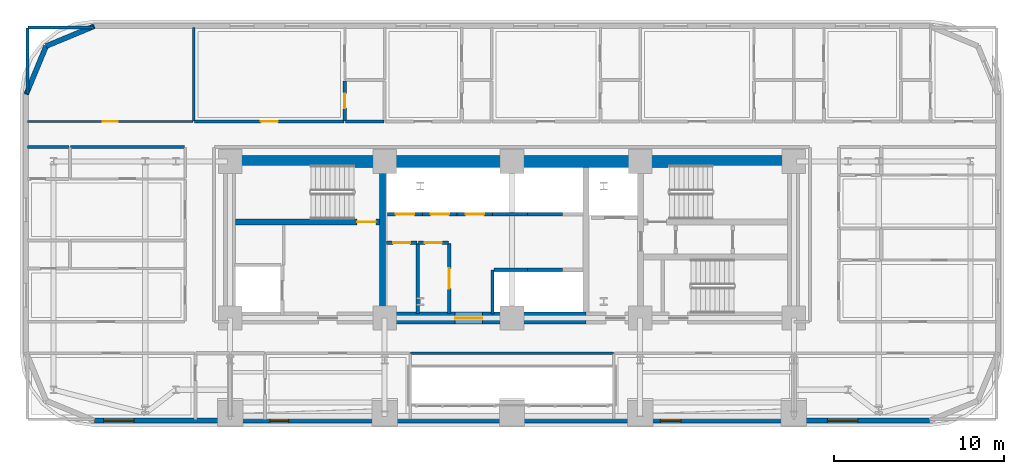
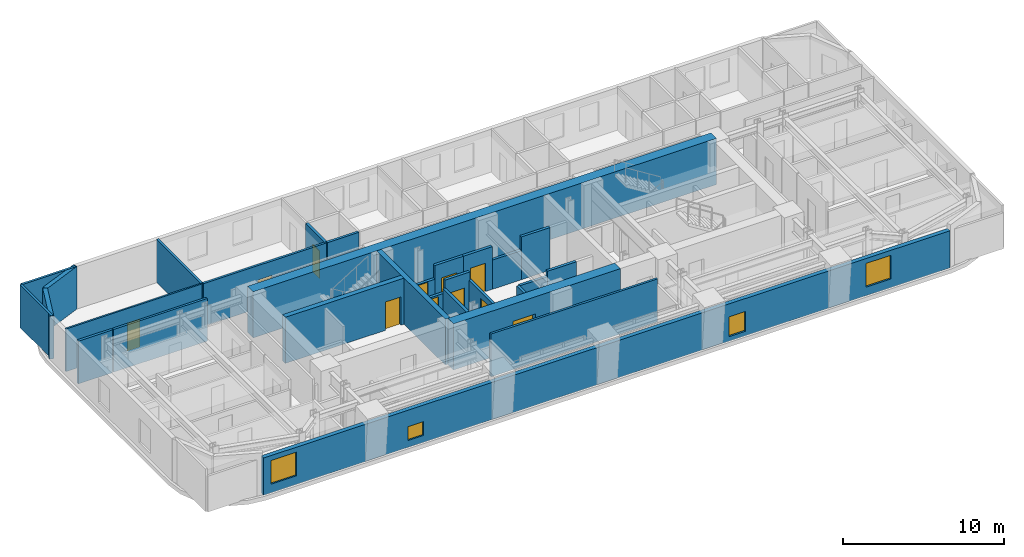
# One storey, part 8 of 15: 29 walls, 11 doors, 4 windows, 15 openings.
"""IFC4 building model written with IfcOpenShell, lengths in metres."""

from ifc_helpers import new_model, si_unit, direction, frame, frame_2d, origin, place, context, subcontext, project, spatial, rectangle, extrude, material, layer, layer_set, type_object, element, fill, save


model = new_model("IFC4")

# Units and contexts
model_context = context("Model", 3, precision=1e-05, world=origin(), true_north=direction((0.0, 1.0)))
body_context = subcontext(model_context, "Body", "Model", "MODEL_VIEW")
ifc_project = project(units=[si_unit("LENGTHUNIT", "METRE"), si_unit("AREAUNIT", "SQUARE_METRE"), si_unit("VOLUMEUNIT", "CUBIC_METRE"), si_unit("PLANEANGLEUNIT", "RADIAN"), si_unit("MASSUNIT", "GRAM", prefix="KILO")], contexts=[model_context])

# Site, building, storey
site_placement = place(None, origin())
site = spatial("IfcSite", under=ifc_project, at=site_placement, CompositionType="ELEMENT")
building_placement = place(site_placement, origin())
building = spatial("IfcBuilding", under=site, at=building_placement, Name="Zarnavel Station Tower", CompositionType="ELEMENT")
storey_placement = place(building_placement, frame((0.0, 0.0, 43.0)))
storey = spatial("IfcBuildingStorey", under=building, at=storey_placement, Name="L11", CompositionType="ELEMENT", Elevation=43.0)

# Wall
ifc_material_1 = material(Name="Concrete C50/60", Category="concrete")
ifc_layer_1 = layer(ifc_material_1, 0.35009765625)
ifc_layer_set_1 = layer_set([ifc_layer_1], Name="CW_350")
wall_type_1 = type_object("IfcWallType", Name="CW_350", PredefinedType="SHEAR", material=ifc_layer_set_1)
wall_1_placement = place(storey_placement, frame((21.179931640625, 28.169921875, 0.0), z_axis=(0.0, 0.0, 1.0), x_axis=(0.0, 1.0, 0.0)))
element("IfcWall", 1, at=wall_1_placement, inside=storey, type_object=wall_type_1, Name="L11 Rear Core Shear Wall DIV-W", PredefinedType="SHEAR", context=body_context, shape_type="SweptSolid", body=[
    extrude(rectangle(XDim=8.530029296875, YDim=0.35009765625, at=frame_2d((4.26513671875, 0.0))), origin(), (0.0, 0.0, 1.0), 3.5),
])

# Wall, opening, door
wall_2_placement = place(storey_placement, frame((21.0048828125, 33.47998046875, 0.0), z_axis=(0.0, 0.0, 1.0), x_axis=(-1.0, 0.0, 0.0)))
wall_2 = element("IfcWall", 2, at=wall_2_placement, inside=storey, type_object=wall_type_1, Name="L11 Rear Core Shear Wall DIV-H1", PredefinedType="SHEAR", context=body_context, shape_type="SweptSolid", body=[
    extrude(rectangle(XDim=8.5048828125, YDim=0.35009765625, at=frame_2d((4.25244140625, 0.0))), origin(), (0.0, 0.0, 1.0), 3.5),
])
opening_1_placement = place(wall_2_placement, frame((0.219970703125, 0.0, 0.0)))
opening_1 = element("IfcOpeningElement", 3, at=opening_1_placement, cuts=wall_2, Name="Opening FD01", PredefinedType="OPENING", context=body_context, shape_type="SweptSolid", body=[
    extrude(rectangle(XDim=1.10009765625, YDim=2.14990234375, at=frame_2d((0.550048828125, 1.074951171875))), frame((0.0, 0.18505859375, 0.0), z_axis=(0.0, -1.0, 0.0), x_axis=(1.0, 0.0, 0.0)), (0.0, 0.0, 1.0), 0.3701171875),
])
ifc_material_2 = material(Name="Painted Galvanised Steel and Hardwood Leaf", Category="steel")
door_type_1 = type_object("IfcDoorType", Name="ID_STAIR_1100", OperationType="NOTDEFINED", PredefinedType="DOOR", material=ifc_material_2)
door_1_placement = place(opening_1_placement, origin())
door_1 = element("IfcDoor", 4, at=door_1_placement, inside=storey, type_object=door_type_1, Name="L11 Stair ST1 Lobby Fire Door", OperationType="SINGLE_SWING_LEFT", OverallHeight=2.14990234375, OverallWidth=1.10009765625, PredefinedType="DOOR", context=body_context, shape_type="SweptSolid", body=[
    extrude(rectangle(XDim=1.10009765625, YDim=2.14990234375, at=frame_2d((0.550048828125, 1.074951171875))), frame((0.0, 0.02490234375, 0.0), z_axis=(0.0, -1.0, 0.0), x_axis=(1.0, 0.0, 0.0)), (0.0, 0.0, 1.0), 0.050048828125),
])
fill(opening_1, door_1)

# Wall
ifc_material_3 = material(Name="Concrete C60/75", Category="concrete")
ifc_layer_2 = layer(ifc_material_3, 0.699951171875)
ifc_layer_set_2 = layer_set([ifc_layer_2], Name="CW_700")
wall_type_2 = type_object("IfcWallType", Name="CW_700", PredefinedType="SHEAR", material=ifc_layer_set_2)
wall_3_placement = place(storey_placement, frame((12.14990234375, 37.050048828125, 0.0), z_axis=(0.0, 0.0, 1.0), x_axis=(1.0, 0.0, 0.0)))
element("IfcWall", 5, at=wall_3_placement, inside=storey, type_object=wall_type_2, Name="L11 Rear Core Shear Wall N", PredefinedType="SHEAR", context=body_context, shape_type="SweptSolid", body=[
    extrude(rectangle(XDim=33.22998046875, YDim=0.699951171875, at=frame_2d((16.614990234375, 0.0))), origin(), (0.0, 0.0, 1.0), 3.5),
])

# Wall, opening, door
wall_4_placement = place(storey_placement, frame((33.14990234375, 27.820068359375, 0.0), z_axis=(0.0, 0.0, 1.0), x_axis=(-1.0, 0.0, 0.0)))
wall_4 = element("IfcWall", 6, at=wall_4_placement, inside=storey, type_object=wall_type_2, Name="L11 Rear Core Shear Wall S-M", PredefinedType="SHEAR", context=body_context, shape_type="SweptSolid", body=[
    extrude(rectangle(XDim=11.969970703125, YDim=0.699951171875, at=frame_2d((5.98486328125, 0.0))), origin(), (0.0, 0.0, 1.0), 3.5),
])
opening_2_placement = place(wall_4_placement, frame((6.10009765625, 0.0, 0.0)))
opening_2 = element("IfcOpeningElement", 7, at=opening_2_placement, cuts=wall_4, Name="Opening ID03", PredefinedType="OPENING", context=body_context, shape_type="SweptSolid", body=[
    extrude(rectangle(XDim=1.60009765625, YDim=2.199951171875, at=frame_2d((0.800048828125, 1.10009765625))), frame((0.0, 0.35986328125, 0.0), z_axis=(0.0, -1.0, 0.0), x_axis=(1.0, 0.0, 0.0)), (0.0, 0.0, 1.0), 0.719970703125),
])
ifc_material_4 = material(Name="Painted Galvanised Steel and Hardwood Leaf", Category="steel")
door_type_2 = type_object("IfcDoorType", Name="ID_PUBLIC_1600", OperationType="DOUBLE_DOOR_SINGLE_SWING", PredefinedType="DOOR", material=ifc_material_4)
door_2_placement = place(opening_2_placement, origin())
door_2 = element("IfcDoor", 8, at=door_2_placement, inside=storey, type_object=door_type_2, Name="L11 Passenger Lift Lobby Double Door", OperationType="SINGLE_SWING_LEFT", OverallHeight=2.199951171875, OverallWidth=1.60009765625, PredefinedType="DOOR", context=body_context, shape_type="SweptSolid", body=[
    extrude(rectangle(XDim=1.60009765625, YDim=2.199951171875, at=frame_2d((0.800048828125, 1.10009765625))), frame((0.0, 0.02490234375, 0.0), z_axis=(0.0, -1.0, 0.0), x_axis=(1.0, 0.0, 0.0)), (0.0, 0.0, 1.0), 0.050048828125),
])
fill(opening_2, door_2)

# Walls
ifc_material_5 = material(Name="Precast concrete C45/55 (Dark Basalt Finish)", Category="masonry")
ifc_layer_3 = layer(ifc_material_5, 0.300048828125)
ifc_layer_set_3 = layer_set([ifc_layer_3], Name="EW_BASALT_300")
wall_type_3 = type_object("IfcWallType", Name="EW_BASALT_300", PredefinedType="SOLIDWALL", material=ifc_layer_set_3)
for number, where, z_axis, x_axis, name in (
    (9, (1.357421875, 43.842529296875, 0.0), (0.0, 0.0, 1.0), (0.923870793506, 0.382704529509, 0.0), "L11 Exterior Basalt Masonry Frame Wall 07"),
    (10, (0.179931640625, 41.0, 0.0), (0.0, 0.0, 1.0), (0.382704529509, 0.923870793506, 0.0), "L11 Exterior Basalt Masonry Frame Wall 08"),
):
    element("IfcWall", number, at=place(storey_placement, frame(where, z_axis=z_axis, x_axis=x_axis)), inside=storey, type_object=wall_type_3, Name=name, PredefinedType="SOLIDWALL", context=body_context, shape_type="SweptSolid", body=[
        extrude(rectangle(XDim=3.07666015625, YDim=0.300048828125, at=frame_2d((1.538330078125, 0.0))), origin(), (0.0, 0.0, 1.0), 3.239990234375),
    ])

# Wall, openings, windows
wall_5_placement = place(storey_placement, frame((53.39990234375, 21.780029296875, 0.0), z_axis=(0.0, 0.0, 1.0), x_axis=(-1.0, 0.0, 0.0)))
wall_5 = element("IfcWall", 11, at=wall_5_placement, inside=storey, type_object=wall_type_3, Name="L11 Exterior Basalt Masonry Frame Wall 12", PredefinedType="SOLIDWALL", context=body_context, shape_type="SweptSolid", body=[
    extrude(rectangle(XDim=49.199951171875, YDim=0.300048828125, at=frame_2d((24.60009765625, 0.0))), origin(), (0.0, 0.0, 1.0), 2.820068359375),
])
opening_3_placement = place(wall_5_placement, frame((46.858642578125, 0.0, 0.64990234375)))
opening_3 = element("IfcOpeningElement", 12, at=opening_3_placement, cuts=wall_5, Name="Opening WN02", PredefinedType="OPENING", context=body_context, shape_type="SweptSolid", body=[
    extrude(rectangle(XDim=1.800048828125, YDim=1.800048828125, at=frame_2d((0.89990234375, 0.89990234375))), frame((0.0, 0.159912109375, 0.0), z_axis=(0.0, -1.0, 0.0), x_axis=(1.0, 0.0, 0.0)), (0.0, 0.0, 1.0), 0.320068359375),
])
opening_4_placement = place(wall_5_placement, frame((37.75, 0.0, 0.52001953125)))
opening_4 = element("IfcOpeningElement", 13, at=opening_4_placement, cuts=wall_5, Name="Opening WN09", PredefinedType="OPENING", context=body_context, shape_type="SweptSolid", body=[
    extrude(rectangle(XDim=1.10009765625, YDim=1.050048828125, at=frame_2d((0.550048828125, 0.52490234375))), frame((0.0, 0.159912109375, 0.0), z_axis=(0.0, -1.0, 0.0), x_axis=(1.0, 0.0, 0.0)), (0.0, 0.0, 1.0), 0.320068359375),
])
opening_5_placement = place(wall_5_placement, frame((14.657958984375, 0.0, 0.340087890625)))
opening_5 = element("IfcOpeningElement", 14, at=opening_5_placement, cuts=wall_5, Name="Opening WN08", PredefinedType="OPENING", context=body_context, shape_type="SweptSolid", body=[
    extrude(rectangle(XDim=1.199951171875, YDim=1.5, at=frame_2d((0.60009765625, 0.75))), frame((0.0, 0.159912109375, 0.0), z_axis=(0.0, -1.0, 0.0), x_axis=(1.0, 0.0, 0.0)), (0.0, 0.0, 1.0), 0.320068359375),
])
opening_6_placement = place(wall_5_placement, frame((4.22265625, 0.0, 0.64990234375)))
opening_6 = element("IfcOpeningElement", 15, at=opening_6_placement, cuts=wall_5, Name="Opening WN02", PredefinedType="OPENING", context=body_context, shape_type="SweptSolid", body=[
    extrude(rectangle(XDim=1.800048828125, YDim=1.800048828125, at=frame_2d((0.89990234375, 0.89990234375))), frame((0.0, 0.159912109375, 0.0), z_axis=(0.0, -1.0, 0.0), x_axis=(1.0, 0.0, 0.0)), (0.0, 0.0, 1.0), 0.320068359375),
])
ifc_material_6 = material(Name="Thermally Broken Black Aluminium and Low-E Dark Glass", Category="aluminium")
window_type_1 = type_object("IfcWindowType", Name="WN_1100x1050", PartitioningType="SINGLE_PANEL", PredefinedType="WINDOW", material=ifc_material_6)
window_1_placement = place(opening_4_placement, origin())
window_1 = element("IfcWindow", 16, at=window_1_placement, inside=storey, type_object=window_type_1, Name="L11 Recessed Facade Window 02", OverallHeight=1.050048828125, OverallWidth=1.10009765625, PartitioningType="SINGLE_PANEL", PredefinedType="WINDOW", context=body_context, shape_type="SweptSolid", body=[
    extrude(rectangle(XDim=1.10009765625, YDim=1.050048828125, at=frame_2d((0.550048828125, 0.52490234375))), frame((0.0, 0.030029296875, 0.0), z_axis=(0.0, -1.0, 0.0), x_axis=(1.0, 0.0, 0.0)), (0.0, 0.0, 1.0), 0.06005859375),
])
fill(opening_4, window_1)
ifc_material_7 = material(Name="Thermally Broken Black Aluminium and Low-E Dark Glass", Category="aluminium")
window_type_2 = type_object("IfcWindowType", Name="WN_1200x1500", PartitioningType="SINGLE_PANEL", PredefinedType="WINDOW", material=ifc_material_7)
window_2_placement = place(opening_5_placement, origin())
window_2 = element("IfcWindow", 17, at=window_2_placement, inside=storey, type_object=window_type_2, Name="L11 Recessed Facade Window 03", OverallHeight=1.5, OverallWidth=1.199951171875, PartitioningType="SINGLE_PANEL", PredefinedType="WINDOW", context=body_context, shape_type="SweptSolid", body=[
    extrude(rectangle(XDim=1.199951171875, YDim=1.5, at=frame_2d((0.60009765625, 0.75))), frame((0.0, 0.030029296875, 0.0), z_axis=(0.0, -1.0, 0.0), x_axis=(1.0, 0.0, 0.0)), (0.0, 0.0, 1.0), 0.06005859375),
])
fill(opening_5, window_2)
ifc_material_8 = material(Name="Thermally Broken Black Aluminium and Low-E Dark Glass", Category="aluminium")
window_type_3 = type_object("IfcWindowType", Name="WN_1800x1800", PartitioningType="DOUBLE_PANEL_VERTICAL", PredefinedType="WINDOW", material=ifc_material_8)
window_3_placement = place(opening_3_placement, origin())
window_3 = element("IfcWindow", 18, at=window_3_placement, inside=storey, type_object=window_type_3, Name="L11 Recessed Facade Window 01", OverallHeight=1.800048828125, OverallWidth=1.800048828125, PartitioningType="SINGLE_PANEL", PredefinedType="WINDOW", context=body_context, shape_type="SweptSolid", body=[
    extrude(rectangle(XDim=1.800048828125, YDim=1.800048828125, at=frame_2d((0.89990234375, 0.89990234375))), frame((0.0, 0.030029296875, 0.0), z_axis=(0.0, -1.0, 0.0), x_axis=(1.0, 0.0, 0.0)), (0.0, 0.0, 1.0), 0.06005859375),
])
fill(opening_3, window_3)
window_4_placement = place(opening_6_placement, origin())
window_4 = element("IfcWindow", 19, at=window_4_placement, inside=storey, type_object=window_type_3, Name="L11 Recessed Facade Window 04", OverallHeight=1.800048828125, OverallWidth=1.800048828125, PartitioningType="SINGLE_PANEL", PredefinedType="WINDOW", context=body_context, shape_type="SweptSolid", body=[
    extrude(rectangle(XDim=1.800048828125, YDim=1.800048828125, at=frame_2d((0.89990234375, 0.89990234375))), frame((0.0, 0.030029296875, 0.0), z_axis=(0.0, -1.0, 0.0), x_axis=(1.0, 0.0, 0.0)), (0.0, 0.0, 1.0), 0.06005859375),
])
fill(opening_6, window_4)

# Wall
ifc_material_9 = material(Name="Gypsum Twin-Stud Acoustic Fire Partition", Category="concrete")
ifc_layer_4 = layer(ifc_material_9, 0.159912109375)
ifc_layer_set_4 = layer_set([ifc_layer_4], Name="PT_DEMISE_160")
wall_type_4 = type_object("IfcWallType", Name="PT_DEMISE_160", PredefinedType="PARTITIONING", material=ifc_layer_set_4)
wall_6_placement = place(storey_placement, frame((2.800048828125, 37.89990234375, 0.0), z_axis=(0.0, 0.0, 1.0), x_axis=(1.0, 0.0, 0.0)))
element("IfcWall", 20, at=wall_6_placement, inside=storey, type_object=wall_type_4, Name="L11 Partition COR-N-FNW2S", PredefinedType="PARTITIONING", context=body_context, shape_type="SweptSolid", body=[
    extrude(rectangle(XDim=6.7099609375, YDim=0.159912109375, at=frame_2d((3.35498046875, 0.0))), origin(), (0.0, 0.0, 1.0), 3.239990234375),
])

# Wall, opening, door
wall_7_placement = place(storey_placement, frame((10.10009765625, 39.39990234375, 0.0), z_axis=(0.0, 0.0, 1.0), x_axis=(1.0, 0.0, 0.0)))
wall_7 = element("IfcWall", 21, at=wall_7_placement, inside=storey, type_object=wall_type_4, Name="L11 Partition COR-N-HN1R", PredefinedType="PARTITIONING", context=body_context, shape_type="SweptSolid", body=[
    extrude(rectangle(XDim=8.809814453125, YDim=0.159912109375, at=frame_2d((4.40478515625, 0.0))), origin(), (0.0, 0.0, 1.0), 3.239990234375),
])
opening_7_placement = place(wall_7_placement, frame((3.905029296875, 0.0, 0.0)))
opening_7 = element("IfcOpeningElement", 22, at=opening_7_placement, cuts=wall_7, Name="Opening FD02", PredefinedType="OPENING", context=body_context, shape_type="SweptSolid", body=[
    extrude(rectangle(XDim=1.0, YDim=2.14990234375, at=frame_2d((0.5, 1.074951171875))), frame((0.0, 0.08984375, 0.0), z_axis=(0.0, -1.0, 0.0), x_axis=(1.0, 0.0, 0.0)), (0.0, 0.0, 1.0), 0.179931640625),
])
ifc_material_10 = material(Name="Painted Galvanised Steel and Hardwood Leaf", Category="steel")
door_type_3 = type_object("IfcDoorType", Name="ID_ENTRY_1000", OperationType="NOTDEFINED", PredefinedType="DOOR", material=ifc_material_10)
door_3_placement = place(opening_7_placement, origin())
door_3 = element("IfcDoor", 23, at=door_3_placement, inside=storey, type_object=door_type_3, Name="L11 Door COR-N-HN1R", OperationType="SINGLE_SWING_LEFT", OverallHeight=2.14990234375, OverallWidth=1.0, PredefinedType="DOOR", context=body_context, shape_type="SweptSolid", body=[
    extrude(rectangle(XDim=1.0, YDim=2.14990234375, at=frame_2d((0.5, 1.074951171875))), frame((0.0, 0.02490234375, 0.0), z_axis=(0.0, -1.0, 0.0), x_axis=(1.0, 0.0, 0.0)), (0.0, 0.0, 1.0), 0.050048828125),
])
fill(opening_7, door_3)

# Walls
wall_8_placement = place(storey_placement, frame((10.06005859375, 39.43994140625, 0.0), z_axis=(0.0, 0.0, 1.0), x_axis=(0.0, 1.0, 0.0)))
element("IfcWall", 24, at=wall_8_placement, inside=storey, type_object=wall_type_4, Name="L11 Partition HSKP-HN1R", PredefinedType="PARTITIONING", context=body_context, shape_type="SweptSolid", body=[
    extrude(rectangle(XDim=5.5, YDim=0.159912109375, at=frame_2d((2.75, 0.0))), origin(), (0.0, 0.0, 1.0), 3.239990234375),
])
wall_9_placement = place(storey_placement, frame((22.830078125, 25.75, 0.0), z_axis=(0.0, 0.0, 1.0), x_axis=(1.0, 0.0, 0.0)))
element("IfcWall", 25, at=wall_9_placement, inside=storey, type_object=wall_type_4, Name="L11 Enclosure Wall COR-S", PredefinedType="PARTITIONING", context=body_context, shape_type="SweptSolid", body=[
    extrude(rectangle(XDim=11.93994140625, YDim=0.159912109375, at=frame_2d((5.969970703125, 0.0))), origin(), (0.0, 0.0, 1.0), 3.239990234375),
])
for number, where, z_axis, x_axis, name in (
    (26, (0.2900390625, 44.93994140625, 0.0), (0.0, 0.0, 1.0), (1.0, 0.0, 0.0), "L11 Enclosure Wall HSKP"),
    (27, (0.260009765625, 41.030029296875, 0.0), (0.0, 0.0, 1.0), (0.0, 1.0, 0.0), "L11 Enclosure Wall HSKP"),
):
    element("IfcWall", number, at=place(storey_placement, frame(where, z_axis=z_axis, x_axis=x_axis)), inside=storey, type_object=wall_type_4, Name=name, PredefinedType="PARTITIONING", context=body_context, shape_type="SweptSolid", body=[
        extrude(rectangle(XDim=3.8798828125, YDim=0.159912109375, at=frame_2d((1.93994140625, 0.0))), origin(), (0.0, 0.0, 1.0), 3.239990234375),
    ])

# Wall, opening, door
ifc_material_11 = material(Name="Gypsum Metal-Stud Interior Partition", Category="concrete")
ifc_layer_5 = layer(ifc_material_11, 0.1201171875)
ifc_layer_set_5 = layer_set([ifc_layer_5], Name="PT_ROOM_120")
wall_type_5 = type_object("IfcWallType", Name="PT_ROOM_120", PredefinedType="PARTITIONING", material=ifc_layer_set_5)
wall_10_placement = place(storey_placement, frame((0.260009765625, 39.39990234375, 0.0), z_axis=(0.0, 0.0, 1.0), x_axis=(1.0, 0.0, 0.0)))
wall_10 = element("IfcWall", 28, at=wall_10_placement, inside=storey, type_object=wall_type_5, Name="L11 Partition COR-N-HSKP", PredefinedType="PARTITIONING", context=body_context, shape_type="SweptSolid", body=[
    extrude(rectangle(XDim=9.760009765625, YDim=0.1201171875, at=frame_2d((4.8798828125, 0.0))), origin(), (0.0, 0.0, 1.0), 3.239990234375),
])
opening_8_placement = place(wall_10_placement, frame((4.429931640625, 0.0, 0.0)))
opening_8 = element("IfcOpeningElement", 29, at=opening_8_placement, cuts=wall_10, Name="Opening ID01", PredefinedType="OPENING", context=body_context, shape_type="SweptSolid", body=[
    extrude(rectangle(XDim=0.89990234375, YDim=2.10009765625, at=frame_2d((0.449951171875, 1.050048828125))), frame((0.0, 0.070068359375, 0.0), z_axis=(0.0, -1.0, 0.0), x_axis=(1.0, 0.0, 0.0)), (0.0, 0.0, 1.0), 0.14013671875),
])
ifc_material_12 = material(Name="Painted Galvanised Steel and Hardwood Leaf", Category="steel")
door_type_4 = type_object("IfcDoorType", Name="ID_ROOM_900", OperationType="NOTDEFINED", PredefinedType="DOOR", material=ifc_material_12)
door_4_placement = place(opening_8_placement, origin())
door_4 = element("IfcDoor", 30, at=door_4_placement, inside=storey, type_object=door_type_4, Name="L11 Door COR-N-HSKP", OperationType="SINGLE_SWING_RIGHT", OverallHeight=2.10009765625, OverallWidth=0.89990234375, PredefinedType="DOOR", context=body_context, shape_type="SweptSolid", body=[
    extrude(rectangle(XDim=0.89990234375, YDim=2.10009765625, at=frame_2d((0.449951171875, 1.050048828125))), frame((0.0, 0.02490234375, 0.0), z_axis=(0.0, -1.0, 0.0), x_axis=(1.0, 0.0, 0.0)), (0.0, 0.0, 1.0), 0.050048828125),
])
fill(opening_8, door_4)

# Walls
ifc_material_13 = material(Name="Precast concrete C45/55 (Fire Shaft Blockwork)", Category="masonry")
ifc_layer_6 = layer(ifc_material_13, 0.199951171875)
ifc_layer_set_6 = layer_set([ifc_layer_6], Name="PT_SHAFT_200")
wall_type_6 = type_object("IfcWallType", Name="PT_SHAFT_200", PredefinedType="PARTITIONING", material=ifc_layer_set_6)
wall_11_placement = place(storey_placement, frame((27.75, 30.669921875, 0.0), z_axis=(0.0, 0.0, 1.0), x_axis=(1.0, 0.0, 0.0)))
element("IfcWall", 31, at=wall_11_placement, inside=storey, type_object=wall_type_6, Name="L11 Lift PL-H1 Shaft Front Wall", PredefinedType="PARTITIONING", context=body_context, shape_type="SweptSolid", body=[
    extrude(rectangle(XDim=1.97509765625, YDim=0.199951171875, at=frame_2d((0.987548828125, 0.0))), origin(), (0.0, 0.0, 1.0), 2.2119140625),
])
wall_12_placement = place(storey_placement, frame((27.64990234375, 28.070068359375, 0.0), z_axis=(0.0, 0.0, 1.0), x_axis=(0.0, 1.0, 0.0)))
element("IfcWall", 32, at=wall_12_placement, inside=storey, type_object=wall_type_6, Name="L11 High-Rise Lift Bank West Shaft Wall", PredefinedType="PARTITIONING", context=body_context, shape_type="SweptSolid", body=[
    extrude(rectangle(XDim=2.579833984375, YDim=0.199951171875, at=frame_2d((1.2900390625, 0.0))), origin(), (0.0, 0.0, 1.0), 2.2119140625),
])
wall_13_placement = place(storey_placement, frame((29.72509765625, 30.669921875, 0.0), z_axis=(0.0, 0.0, 1.0), x_axis=(1.0, 0.0, 0.0)))
element("IfcWall", 33, at=wall_13_placement, inside=storey, type_object=wall_type_6, Name="L11 Lift PL-H2 Shaft Front Wall", PredefinedType="PARTITIONING", context=body_context, shape_type="SweptSolid", body=[
    extrude(rectangle(XDim=2.0498046875, YDim=0.199951171875, at=frame_2d((1.02490234375, 0.0))), origin(), (0.0, 0.0, 1.0), 2.6201171875),
])

# Wall, opening, door
wall_14_placement = place(storey_placement, frame((21.4599609375, 33.929931640625, 0.0), z_axis=(0.0, 0.0, 1.0), x_axis=(1.0, 0.0, 0.0)))
wall_14 = element("IfcWall", 34, at=wall_14_placement, inside=storey, type_object=wall_type_6, Name="L11 Lift PL-L1 Shaft Front Wall", PredefinedType="PARTITIONING", context=body_context, shape_type="SweptSolid", body=[
    extrude(rectangle(XDim=2.06494140625, YDim=0.199951171875, at=frame_2d((1.032470703125, 0.0))), origin(), (0.0, 0.0, 1.0), 2.2119140625),
])
opening_9_placement = place(wall_14_placement, frame((0.482421875, 0.0, 0.0)))
opening_9 = element("IfcOpeningElement", 35, at=opening_9_placement, cuts=wall_14, Name="Opening LD02", PredefinedType="OPENING", context=body_context, shape_type="SweptSolid", body=[
    extrude(rectangle(XDim=1.10009765625, YDim=2.14990234375, at=frame_2d((0.550048828125, 1.074951171875))), frame((0.0, 0.10986328125, 0.0), z_axis=(0.0, -1.0, 0.0), x_axis=(1.0, 0.0, 0.0)), (0.0, 0.0, 1.0), 0.219970703125),
])
ifc_material_14 = material(Name="Painted Galvanised Steel and Hardwood Leaf", Category="steel")
door_type_5 = type_object("IfcDoorType", Name="LD_PAX_1100", OperationType="DOUBLE_DOOR_SLIDING", PredefinedType="DOOR", material=ifc_material_14)
door_5_placement = place(opening_9_placement, origin())
door_5 = element("IfcDoor", 36, at=door_5_placement, inside=storey, type_object=door_type_5, Name="L11 Lift PL-L1 Sliding Landing Door", OperationType="DOUBLE_DOOR_SLIDING", OverallHeight=2.14990234375, OverallWidth=1.10009765625, PredefinedType="DOOR", context=body_context, shape_type="SweptSolid", body=[
    extrude(rectangle(XDim=1.10009765625, YDim=2.14990234375, at=frame_2d((0.550048828125, 1.074951171875))), frame((0.0, 0.02490234375, 0.0), z_axis=(0.0, -1.0, 0.0), x_axis=(1.0, 0.0, 0.0)), (0.0, 0.0, 1.0), 0.050048828125),
])
fill(opening_9, door_5)

wall_15_placement = place(storey_placement, frame((23.52490234375, 33.929931640625, 0.0), z_axis=(0.0, 0.0, 1.0), x_axis=(1.0, 0.0, 0.0)))
wall_15 = element("IfcWall", 37, at=wall_15_placement, inside=storey, type_object=wall_type_6, Name="L11 Lift PL-L2 Shaft Front Wall", PredefinedType="PARTITIONING", context=body_context, shape_type="SweptSolid", body=[
    extrude(rectangle(XDim=2.050048828125, YDim=0.199951171875, at=frame_2d((1.02490234375, 0.0))), origin(), (0.0, 0.0, 1.0), 3.239990234375),
])
opening_10_placement = place(wall_15_placement, frame((0.47509765625, 0.0, 0.0)))
opening_10 = element("IfcOpeningElement", 38, at=opening_10_placement, cuts=wall_15, Name="Opening LD02", PredefinedType="OPENING", context=body_context, shape_type="SweptSolid", body=[
    extrude(rectangle(XDim=1.10009765625, YDim=2.14990234375, at=frame_2d((0.550048828125, 1.074951171875))), frame((0.0, 0.10986328125, 0.0), z_axis=(0.0, -1.0, 0.0), x_axis=(1.0, 0.0, 0.0)), (0.0, 0.0, 1.0), 0.219970703125),
])
door_6_placement = place(opening_10_placement, origin())
door_6 = element("IfcDoor", 39, at=door_6_placement, inside=storey, type_object=door_type_5, Name="L11 Lift PL-L2 Sliding Landing Door", OperationType="DOUBLE_DOOR_SLIDING", OverallHeight=2.14990234375, OverallWidth=1.10009765625, PredefinedType="DOOR", context=body_context, shape_type="SweptSolid", body=[
    extrude(rectangle(XDim=1.10009765625, YDim=2.14990234375, at=frame_2d((0.550048828125, 1.074951171875))), frame((0.0, 0.02490234375, 0.0), z_axis=(0.0, -1.0, 0.0), x_axis=(1.0, 0.0, 0.0)), (0.0, 0.0, 1.0), 0.050048828125),
])
fill(opening_10, door_6)

wall_16_placement = place(storey_placement, frame((25.574951171875, 33.929931640625, 0.0), z_axis=(0.0, 0.0, 1.0), x_axis=(1.0, 0.0, 0.0)))
wall_16 = element("IfcWall", 40, at=wall_16_placement, inside=storey, type_object=wall_type_6, Name="L11 Lift PL-L3 Shaft Front Wall", PredefinedType="PARTITIONING", context=body_context, shape_type="SweptSolid", body=[
    extrude(rectangle(XDim=2.074951171875, YDim=0.199951171875, at=frame_2d((1.03759765625, 0.0))), origin(), (0.0, 0.0, 1.0), 3.239990234375),
])
opening_11_placement = place(wall_16_placement, frame((0.487548828125, 0.0, 0.0)))
opening_11 = element("IfcOpeningElement", 41, at=opening_11_placement, cuts=wall_16, Name="Opening LD02", PredefinedType="OPENING", context=body_context, shape_type="SweptSolid", body=[
    extrude(rectangle(XDim=1.10009765625, YDim=2.14990234375, at=frame_2d((0.550048828125, 1.074951171875))), frame((0.0, 0.10986328125, 0.0), z_axis=(0.0, -1.0, 0.0), x_axis=(1.0, 0.0, 0.0)), (0.0, 0.0, 1.0), 0.219970703125),
])
door_7_placement = place(opening_11_placement, origin())
door_7 = element("IfcDoor", 42, at=door_7_placement, inside=storey, type_object=door_type_5, Name="L11 Lift PL-L3 Sliding Landing Door", OperationType="DOUBLE_DOOR_SLIDING", OverallHeight=2.14990234375, OverallWidth=1.10009765625, PredefinedType="DOOR", context=body_context, shape_type="SweptSolid", body=[
    extrude(rectangle(XDim=1.10009765625, YDim=2.14990234375, at=frame_2d((0.550048828125, 1.074951171875))), frame((0.0, 0.02490234375, 0.0), z_axis=(0.0, -1.0, 0.0), x_axis=(1.0, 0.0, 0.0)), (0.0, 0.0, 1.0), 0.050048828125),
])
fill(opening_11, door_7)

# Walls
wall_17_placement = place(storey_placement, frame((27.64990234375, 33.929931640625, 0.0), z_axis=(0.0, 0.0, 1.0), x_axis=(1.0, 0.0, 0.0)))
element("IfcWall", 43, at=wall_17_placement, inside=storey, type_object=wall_type_6, Name="L11 Lift PL-M1 Shaft Front Wall", PredefinedType="PARTITIONING", context=body_context, shape_type="SweptSolid", body=[
    extrude(rectangle(XDim=2.0751953125, YDim=0.199951171875, at=frame_2d((1.03759765625, 0.0))), origin(), (0.0, 0.0, 1.0), 2.2119140625),
])
wall_18_placement = place(storey_placement, frame((29.72509765625, 33.929931640625, 0.0), z_axis=(0.0, 0.0, 1.0), x_axis=(1.0, 0.0, 0.0)))
element("IfcWall", 44, at=wall_18_placement, inside=storey, type_object=wall_type_6, Name="L11 Lift PL-M2 Shaft Front Wall", PredefinedType="PARTITIONING", context=body_context, shape_type="SweptSolid", body=[
    extrude(rectangle(XDim=2.0498046875, YDim=0.199951171875, at=frame_2d((1.02490234375, 0.0))), origin(), (0.0, 0.0, 1.0), 3.239990234375),
])

# Wall, opening, door
wall_19_placement = place(storey_placement, frame((21.39990234375, 32.25, 0.0), z_axis=(0.0, 0.0, 1.0), x_axis=(1.0, 0.0, 0.0)))
wall_19 = element("IfcWall", 45, at=wall_19_placement, inside=storey, type_object=wall_type_6, Name="L11 Partition LLOB-CS1", PredefinedType="PARTITIONING", context=body_context, shape_type="SweptSolid", body=[
    extrude(rectangle(XDim=1.81005859375, YDim=0.199951171875, at=frame_2d((0.905029296875, 0.0))), origin(), (0.0, 0.0, 1.0), 2.280029296875),
])
opening_12_placement = place(wall_19_placement, frame((0.405029296875, 0.0, 0.0)))
opening_12 = element("IfcOpeningElement", 46, at=opening_12_placement, cuts=wall_19, Name="Opening FD02", PredefinedType="OPENING", context=body_context, shape_type="SweptSolid", body=[
    extrude(rectangle(XDim=1.0, YDim=2.14990234375, at=frame_2d((0.5, 1.074951171875))), frame((0.0, 0.10986328125, 0.0), z_axis=(0.0, -1.0, 0.0), x_axis=(1.0, 0.0, 0.0)), (0.0, 0.0, 1.0), 0.219970703125),
])
door_8_placement = place(opening_12_placement, origin())
door_8 = element("IfcDoor", 47, at=door_8_placement, inside=storey, type_object=door_type_3, Name="L11 Door LLOB-CS1", OperationType="SINGLE_SWING_LEFT", OverallHeight=2.14990234375, OverallWidth=1.0, PredefinedType="DOOR", context=body_context, shape_type="SweptSolid", body=[
    extrude(rectangle(XDim=1.0, YDim=2.14990234375, at=frame_2d((0.5, 1.074951171875))), frame((0.0, 0.02490234375, 0.0), z_axis=(0.0, -1.0, 0.0), x_axis=(1.0, 0.0, 0.0)), (0.0, 0.0, 1.0), 0.050048828125),
])
fill(opening_12, door_8)

wall_20_placement = place(storey_placement, frame((23.2900390625, 32.25, 0.0), z_axis=(0.0, 0.0, 1.0), x_axis=(1.0, 0.0, 0.0)))
wall_20 = element("IfcWall", 48, at=wall_20_placement, inside=storey, type_object=wall_type_6, Name="L11 Partition LLOB-CS2", PredefinedType="PARTITIONING", context=body_context, shape_type="SweptSolid", body=[
    extrude(rectangle(XDim=1.77001953125, YDim=0.199951171875, at=frame_2d((0.885009765625, 0.0))), origin(), (0.0, 0.0, 1.0), 3.239990234375),
])
opening_13_placement = place(wall_20_placement, frame((0.385009765625, 0.0, 0.0)))
opening_13 = element("IfcOpeningElement", 49, at=opening_13_placement, cuts=wall_20, Name="Opening FD02", PredefinedType="OPENING", context=body_context, shape_type="SweptSolid", body=[
    extrude(rectangle(XDim=1.0, YDim=2.14990234375, at=frame_2d((0.5, 1.074951171875))), frame((0.0, 0.10986328125, 0.0), z_axis=(0.0, -1.0, 0.0), x_axis=(1.0, 0.0, 0.0)), (0.0, 0.0, 1.0), 0.219970703125),
])
door_9_placement = place(opening_13_placement, origin())
door_9 = element("IfcDoor", 50, at=door_9_placement, inside=storey, type_object=door_type_3, Name="L11 Door LLOB-CS2", OperationType="SINGLE_SWING_RIGHT", OverallHeight=2.14990234375, OverallWidth=1.0, PredefinedType="DOOR", context=body_context, shape_type="SweptSolid", body=[
    extrude(rectangle(XDim=1.0, YDim=2.14990234375, at=frame_2d((0.5, 1.074951171875))), frame((0.0, 0.02490234375, 0.0), z_axis=(0.0, -1.0, 0.0), x_axis=(1.0, 0.0, 0.0)), (0.0, 0.0, 1.0), 0.050048828125),
])
fill(opening_13, door_9)

wall_21_placement = place(storey_placement, frame((25.10009765625, 28.090087890625, 0.0), z_axis=(0.0, 0.0, 1.0), x_axis=(0.0, 1.0, 0.0)))
wall_21 = element("IfcWall", 51, at=wall_21_placement, inside=storey, type_object=wall_type_6, Name="L11 Partition LLOBS-CS2", PredefinedType="PARTITIONING", context=body_context, shape_type="SweptSolid", body=[
    extrude(rectangle(XDim=4.119873046875, YDim=0.199951171875, at=frame_2d((2.06005859375, 0.0))), origin(), (0.0, 0.0, 1.0), 2.6201171875),
])
opening_14_placement = place(wall_21_placement, frame((1.4599609375, 0.0, 0.0)))
opening_14 = element("IfcOpeningElement", 52, at=opening_14_placement, cuts=wall_21, Name="Opening FD03", PredefinedType="OPENING", context=body_context, shape_type="SweptSolid", body=[
    extrude(rectangle(XDim=1.199951171875, YDim=2.14990234375, at=frame_2d((0.60009765625, 1.074951171875))), frame((0.0, 0.10986328125, 0.0), z_axis=(0.0, -1.0, 0.0), x_axis=(1.0, 0.0, 0.0)), (0.0, 0.0, 1.0), 0.219970703125),
])
ifc_material_15 = material(Name="Painted Galvanised Steel and Hardwood Leaf", Category="steel")
door_type_6 = type_object("IfcDoorType", Name="ID_PLANT_1200", OperationType="NOTDEFINED", PredefinedType="DOOR", material=ifc_material_15)
door_10_placement = place(opening_14_placement, origin())
door_10 = element("IfcDoor", 53, at=door_10_placement, inside=storey, type_object=door_type_6, Name="L11 Door LLOBS-CS2", OperationType="SINGLE_SWING_LEFT", OverallHeight=2.14990234375, OverallWidth=1.199951171875, PredefinedType="DOOR", context=body_context, shape_type="SweptSolid", body=[
    extrude(rectangle(XDim=1.199951171875, YDim=2.14990234375, at=frame_2d((0.60009765625, 1.074951171875))), frame((0.0, 0.02490234375, 0.0), z_axis=(0.0, -1.0, 0.0), x_axis=(1.0, 0.0, 0.0)), (0.0, 0.0, 1.0), 0.050048828125),
])
fill(opening_14, door_10)

# Walls
wall_22_placement = place(storey_placement, frame((23.25, 28.090087890625, 0.0), z_axis=(0.0, 0.0, 1.0), x_axis=(0.0, 1.0, 0.0)))
element("IfcWall", 54, at=wall_22_placement, inside=storey, type_object=wall_type_6, Name="L11 Partition CS1-CS2", PredefinedType="PARTITIONING", context=body_context, shape_type="SweptSolid", body=[
    extrude(rectangle(XDim=4.119873046875, YDim=0.199951171875, at=frame_2d((2.06005859375, 0.0))), origin(), (0.0, 0.0, 1.0), 2.6201171875),
])
ifc_material_16 = material(Name="Moisture-Resistant Plumbing Chase Wall", Category="concrete")
ifc_layer_7 = layer(ifc_material_16, 0.179931640625)
ifc_layer_set_7 = layer_set([ifc_layer_7], Name="PW_PLUMB_180")
wall_type_7 = type_object("IfcWallType", Name="PW_PLUMB_180", PredefinedType="PLUMBINGWALL", material=ifc_layer_set_7)
wall_23_placement = place(storey_placement, frame((0.260009765625, 37.89990234375, 0.0), z_axis=(0.0, 0.0, 1.0), x_axis=(1.0, 0.0, 0.0)))
element("IfcWall", 55, at=wall_23_placement, inside=storey, type_object=wall_type_7, Name="L11 Partition COR-N-FNW2B", PredefinedType="PLUMBINGWALL", context=body_context, shape_type="SweptSolid", body=[
    extrude(rectangle(XDim=2.4599609375, YDim=0.179931640625, at=frame_2d((1.22998046875, 0.0))), origin(), (0.0, 0.0, 1.0), 3.239990234375),
])
wall_24_placement = place(storey_placement, frame((18.989990234375, 39.39990234375, 0.0), z_axis=(0.0, 0.0, 1.0), x_axis=(1.0, 0.0, 0.0)))
element("IfcWall", 56, at=wall_24_placement, inside=storey, type_object=wall_type_7, Name="L11 Partition COR-N-HN1B", PredefinedType="PLUMBINGWALL", context=body_context, shape_type="SweptSolid", body=[
    extrude(rectangle(XDim=2.27001953125, YDim=0.179931640625, at=frame_2d((1.135009765625, 0.0))), origin(), (0.0, 0.0, 1.0), 3.239990234375),
])

# Wall, opening, door
wall_25_placement = place(storey_placement, frame((18.949951171875, 39.43994140625, 0.0), z_axis=(0.0, 0.0, 1.0), x_axis=(0.0, 1.0, 0.0)))
wall_25 = element("IfcWall", 57, at=wall_25_placement, inside=storey, type_object=wall_type_7, Name="L11 Partition HN1R-HN1B", PredefinedType="PLUMBINGWALL", context=body_context, shape_type="SweptSolid", body=[
    extrude(rectangle(XDim=2.358154296875, YDim=0.179931640625, at=frame_2d((1.17919921875, 0.0))), origin(), (0.0, 0.0, 1.0), 3.239990234375),
])
opening_15_placement = place(wall_25_placement, frame((0.75390625, 0.0, 0.0)))
opening_15 = element("IfcOpeningElement", 58, at=opening_15_placement, cuts=wall_25, Name="Opening ID02", PredefinedType="OPENING", context=body_context, shape_type="SweptSolid", body=[
    extrude(rectangle(XDim=0.85009765625, YDim=2.10009765625, at=frame_2d((0.425048828125, 1.050048828125))), frame((0.0, 0.099853515625, 0.0), z_axis=(0.0, -1.0, 0.0), x_axis=(1.0, 0.0, 0.0)), (0.0, 0.0, 1.0), 0.199951171875),
])
ifc_material_17 = material(Name="Painted Galvanised Steel and Hardwood Leaf", Category="steel")
door_type_7 = type_object("IfcDoorType", Name="ID_BATH_850", OperationType="NOTDEFINED", PredefinedType="DOOR", material=ifc_material_17)
door_11_placement = place(opening_15_placement, origin())
door_11 = element("IfcDoor", 59, at=door_11_placement, inside=storey, type_object=door_type_7, Name="L11 Door HN1R-HN1B", OperationType="SINGLE_SWING_LEFT", OverallHeight=2.10009765625, OverallWidth=0.85009765625, PredefinedType="DOOR", context=body_context, shape_type="SweptSolid", body=[
    extrude(rectangle(XDim=0.85009765625, YDim=2.10009765625, at=frame_2d((0.425048828125, 1.050048828125))), frame((0.0, 0.02490234375, 0.0), z_axis=(0.0, -1.0, 0.0), x_axis=(1.0, 0.0, 0.0)), (0.0, 0.0, 1.0), 0.050048828125),
])
fill(opening_15, door_11)

save(model, "model.ifc")
